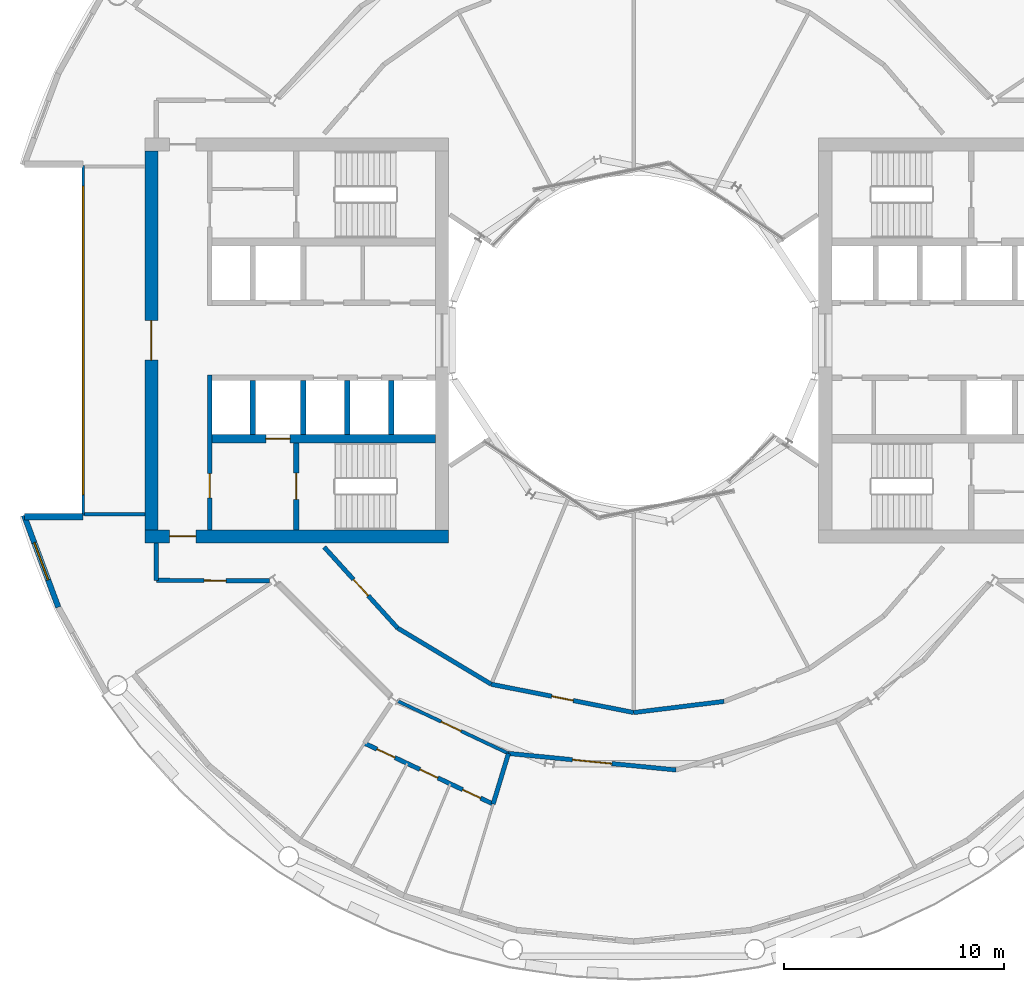
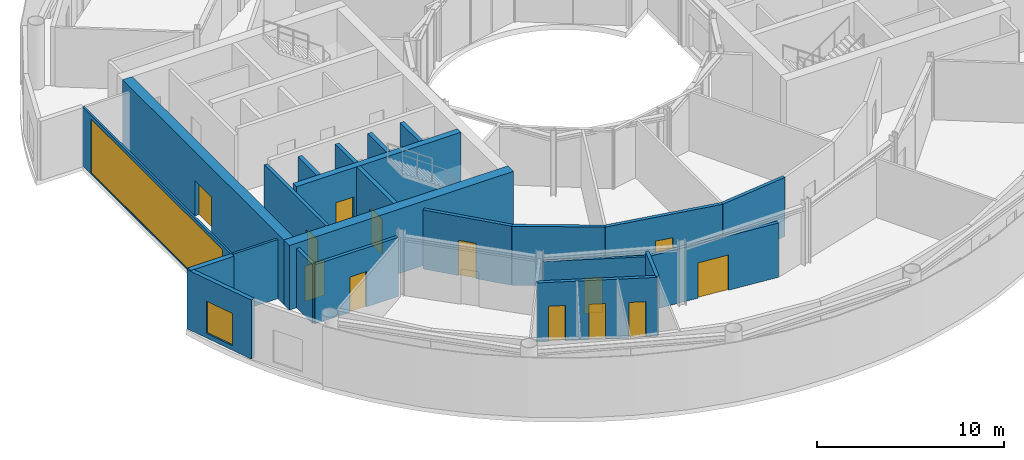
# One storey, part 13 of 21: 23 walls, 13 doors, 2 windows, 15 openings.
"""IFC4 building model written with IfcOpenShell, lengths in metres."""

from ifc_helpers import new_model, si_unit, direction, frame, frame_2d, origin, place, context, subcontext, project, spatial, rectangle, extrude, material, layer, layer_set, type_object, element, fill, save


model = new_model("IFC4")

# Units and contexts
model_context = context("Model", 3, precision=1e-05, world=origin(), true_north=direction((0.0, 1.0)))
body_context = subcontext(model_context, "Body", "Model", "MODEL_VIEW")
ifc_project = project(units=[si_unit("LENGTHUNIT", "METRE"), si_unit("AREAUNIT", "SQUARE_METRE"), si_unit("VOLUMEUNIT", "CUBIC_METRE"), si_unit("PLANEANGLEUNIT", "RADIAN"), si_unit("MASSUNIT", "GRAM", prefix="KILO")], contexts=[model_context])

# Site, building, storey
site_placement = place(None, origin())
site = spatial("IfcSite", under=ifc_project, at=site_placement, CompositionType="ELEMENT")
building_placement = place(site_placement, origin())
building = spatial("IfcBuilding", under=site, at=building_placement, Name="Maasbend Ring Residences", CompositionType="ELEMENT")
storey_placement = place(building_placement, frame((0.0, 0.0, 107.449951171875)))
storey = spatial("IfcBuildingStorey", under=building, at=storey_placement, Name="L30", CompositionType="ELEMENT", Elevation=107.449951171875)

# Wall, opening, door
ifc_material_1 = material(Name="Concrete C60/75", Category="concrete")
ifc_layer_1 = layer(ifc_material_1, 0.25)
ifc_layer_set_1 = layer_set([ifc_layer_1], Name="Concrete C60/75")
wall_type_1 = type_object("IfcWallType", Name="CORE WALL 250 C60/75", PredefinedType="SHEAR", material=ifc_layer_set_1)
wall_1_placement = place(storey_placement, frame((-15.324951171875, -4.64990234375, 0.0), z_axis=(0.0, 0.0, 1.0), x_axis=(0.0, -1.0, 0.0)))
wall_1 = element("IfcWall", 1, at=wall_1_placement, inside=storey, type_object=wall_type_1, Name="L30 core W wall STEN", PredefinedType="SHEAR", context=body_context, shape_type="SweptSolid", body=[
    extrude(rectangle(XDim=3.9501953125, YDim=0.25, at=frame_2d((1.97509765625, 0.0))), origin(), (0.0, 0.0, 1.0), 4.199951171875),
])
opening_1_placement = place(wall_1_placement, frame((1.375, 0.0, 0.0)))
opening_1 = element("IfcOpeningElement", 2, at=opening_1_placement, cuts=wall_1, Name="Opening D-W3009", PredefinedType="OPENING", context=body_context, shape_type="SweptSolid", body=[
    extrude(rectangle(XDim=1.199951171875, YDim=2.300048828125, at=frame_2d((0.60009765625, 1.14990234375))), frame((0.0, 0.135009765625, 0.0), z_axis=(0.0, -1.0, 0.0), x_axis=(1.0, 0.0, 0.0)), (0.0, 0.0, 1.0), 0.27001953125),
])
ifc_material_2 = material(Name="Steel, powder coated", Category="steel")
door_type_1 = type_object("IfcDoorType", Name="STAIR DOOR 1200 X 2300 FD60", OperationType="NOTDEFINED", PredefinedType="DOOR", material=ifc_material_2)
door_1_placement = place(opening_1_placement, origin())
door_1 = element("IfcDoor", 3, at=door_1_placement, inside=storey, type_object=door_type_1, Name="Stair door ST-W L30", OperationType="SINGLE_SWING_LEFT", OverallHeight=2.300048828125, OverallWidth=1.199951171875, PredefinedType="DOOR", context=body_context, shape_type="SweptSolid", body=[
    extrude(rectangle(XDim=1.199951171875, YDim=2.300048828125, at=frame_2d((0.60009765625, 1.14990234375))), frame((0.0, 0.02490234375, 0.0), z_axis=(0.0, -1.0, 0.0), x_axis=(1.0, 0.0, 0.0)), (0.0, 0.0, 1.0), 0.050048828125),
])
fill(opening_1, door_1)

ifc_material_3 = material(Name="Concrete C60/75", Category="concrete")
ifc_layer_2 = layer(ifc_material_3, 0.375)
ifc_layer_set_2 = layer_set([ifc_layer_2], Name="Concrete C60/75")
wall_type_2 = type_object("IfcWallType", Name="CORE WALL 375 C60/75", PredefinedType="SHEAR", material=ifc_layer_set_2)
wall_2_placement = place(storey_placement, frame((-9.0, -4.46240234375, 0.0), z_axis=(0.0, 0.0, 1.0), x_axis=(-1.0, 0.0, 0.0)))
wall_2 = element("IfcWall", 4, at=wall_2_placement, inside=storey, type_object=wall_type_2, Name="L30 core W wall BN", PredefinedType="SHEAR", context=body_context, shape_type="SweptSolid", body=[
    extrude(rectangle(XDim=10.14990234375, YDim=0.375, at=frame_2d((5.074951171875, 0.0))), origin(), (0.0, 0.0, 1.0), 4.199951171875),
])
opening_2_placement = place(wall_2_placement, frame((6.60009765625, 0.0, 0.0)))
opening_2 = element("IfcOpeningElement", 5, at=opening_2_placement, cuts=wall_2, Name="Opening LD-W3004", PredefinedType="OPENING", context=body_context, shape_type="SweptSolid", body=[
    extrude(rectangle(XDim=1.10009765625, YDim=2.300048828125, at=frame_2d((0.550048828125, 1.14990234375))), frame((0.0, 0.197509765625, 0.0), z_axis=(0.0, -1.0, 0.0), x_axis=(1.0, 0.0, 0.0)), (0.0, 0.0, 1.0), 0.39501953125),
])
ifc_material_4 = material(Name="Stainless steel 316", Category="steel")
door_type_2 = type_object("IfcDoorType", Name="LANDING DOOR 1100 X 2300 FD60", OperationType="DOUBLE_DOOR_SLIDING", PredefinedType="DOOR", material=ifc_material_4)
door_2_placement = place(opening_2_placement, origin())
door_2 = element("IfcDoor", 6, at=door_2_placement, inside=storey, type_object=door_type_2, Name="Landing door FF-W L30", OperationType="DOUBLE_DOOR_SLIDING", OverallHeight=2.300048828125, OverallWidth=1.10009765625, PredefinedType="DOOR", context=body_context, shape_type="SweptSolid", body=[
    extrude(rectangle(XDim=1.10009765625, YDim=2.300048828125, at=frame_2d((0.550048828125, 1.14990234375))), frame((0.0, 0.02490234375, 0.0), z_axis=(0.0, -1.0, 0.0), x_axis=(1.0, 0.0, 0.0)), (0.0, 0.0, 1.0), 0.050048828125),
])
fill(opening_2, door_2)

ifc_material_5 = material(Name="Concrete C60/75", Category="concrete")
ifc_layer_3 = layer(ifc_material_5, 0.60009765625)
ifc_layer_set_3 = layer_set([ifc_layer_3], Name="Concrete C60/75")
wall_type_3 = type_object("IfcWallType", Name="CORE WALL 600 C60/75", PredefinedType="SHEAR", material=ifc_layer_set_3)
wall_3_placement = place(storey_placement, frame((-22.199951171875, -8.89990234375, 0.0), z_axis=(0.0, 0.0, 1.0), x_axis=(1.0, 0.0, 0.0)))
wall_3 = element("IfcWall", 7, at=wall_3_placement, inside=storey, type_object=wall_type_3, Name="L30 core W wall PN", PredefinedType="SHEAR", context=body_context, shape_type="SweptSolid", body=[
    extrude(rectangle(XDim=13.800048828125, YDim=0.60009765625, at=frame_2d((6.89990234375, 0.0))), origin(), (0.0, 0.0, 1.0), 4.199951171875),
])
opening_3_placement = place(wall_3_placement, frame((1.125, 0.0, 0.0)))
opening_3 = element("IfcOpeningElement", 8, at=opening_3_placement, cuts=wall_3, Name="Opening D-W3013", PredefinedType="OPENING", context=body_context, shape_type="SweptSolid", body=[
    extrude(rectangle(XDim=1.199951171875, YDim=2.300048828125, at=frame_2d((0.60009765625, 1.14990234375))), frame((0.0, 0.31005859375, 0.0), z_axis=(0.0, -1.0, 0.0), x_axis=(1.0, 0.0, 0.0)), (0.0, 0.0, 1.0), 0.6201171875),
])
ifc_material_6 = material(Name="Steel, powder coated", Category="steel")
door_type_3 = type_object("IfcDoorType", Name="CORRIDOR DOOR 1200 X 2300 FD30S", OperationType="NOTDEFINED", PredefinedType="DOOR", material=ifc_material_6)
door_3_placement = place(opening_3_placement, origin())
door_3 = element("IfcDoor", 9, at=door_3_placement, inside=storey, type_object=door_type_3, Name="Corridor door L30", OperationType="SINGLE_SWING_RIGHT", OverallHeight=2.300048828125, OverallWidth=1.199951171875, PredefinedType="DOOR", context=body_context, shape_type="SweptSolid", body=[
    extrude(rectangle(XDim=1.199951171875, YDim=2.300048828125, at=frame_2d((0.60009765625, 1.14990234375))), frame((0.0, 0.02490234375, 0.0), z_axis=(0.0, -1.0, 0.0), x_axis=(1.0, 0.0, 0.0)), (0.0, 0.0, 1.0), 0.050048828125),
])
fill(opening_3, door_3)

wall_4_placement = place(storey_placement, frame((-21.89990234375, -8.60009765625, 0.0), z_axis=(0.0, 0.0, 1.0), x_axis=(0.0, 1.0, 0.0)))
wall_4 = element("IfcWall", 10, at=wall_4_placement, inside=storey, type_object=wall_type_3, Name="L30 core W wall POUT", PredefinedType="SHEAR", context=body_context, shape_type="SweptSolid", body=[
    extrude(rectangle(XDim=17.2001953125, YDim=0.60009765625, at=frame_2d((8.60009765625, 0.0))), origin(), (0.0, 0.0, 1.0), 4.199951171875),
])
opening_4_placement = place(wall_4_placement, frame((7.699951171875, 0.0, 0.0)))
opening_4 = element("IfcOpeningElement", 11, at=opening_4_placement, cuts=wall_4, Name="Opening D-W3015", PredefinedType="OPENING", context=body_context, shape_type="SweptSolid", body=[
    extrude(rectangle(XDim=1.800048828125, YDim=2.300048828125, at=frame_2d((0.89990234375, 1.14990234375))), frame((0.0, 0.31005859375, 0.0), z_axis=(0.0, -1.0, 0.0), x_axis=(1.0, 0.0, 0.0)), (0.0, 0.0, 1.0), 0.6201171875),
])
ifc_material_7 = material(Name="Aluminium frame, clear glass", Category="aluminium")
door_type_4 = type_object("IfcDoorType", Name="ENTRANCE DOOR 1800 X 2300 FD60", OperationType="NOTDEFINED", PredefinedType="DOOR", material=ifc_material_7)
door_4_placement = place(opening_4_placement, origin())
door_4 = element("IfcDoor", 12, at=door_4_placement, inside=storey, type_object=door_type_4, Name="Lobby glazed door L30", OperationType="SINGLE_SWING_LEFT", OverallHeight=2.300048828125, OverallWidth=1.800048828125, PredefinedType="DOOR", context=body_context, shape_type="SweptSolid", body=[
    extrude(rectangle(XDim=1.800048828125, YDim=2.300048828125, at=frame_2d((0.89990234375, 1.14990234375))), frame((0.0, 0.02490234375, 0.0), z_axis=(0.0, -1.0, 0.0), x_axis=(1.0, 0.0, 0.0)), (0.0, 0.0, 1.0), 0.050048828125),
])
fill(opening_4, door_4)

# Wall, openings, doors
ifc_material_8 = material(Name="Concrete C30/37", Category="concrete")
ifc_layer_4 = layer(ifc_material_8, 0.199951171875)
ifc_layer_set_4 = layer_set([ifc_layer_4], Name="Concrete C30/37")
wall_type_4 = type_object("IfcWallType", Name="CORRIDOR WALL 200 CONCRETE", PredefinedType="PARTITIONING", material=ifc_layer_set_4)
wall_5_placement = place(storey_placement, frame((-12.222900390625, -18.2939453125, 0.0), z_axis=(0.0, 0.0, 1.0), x_axis=(0.904110764787, -0.427298168726, 0.0)))
wall_5 = element("IfcWall", 13, at=wall_5_placement, inside=storey, type_object=wall_type_4, Name="U-L30-w001", PredefinedType="PARTITIONING", context=body_context, shape_type="SweptSolid", body=[
    extrude(rectangle(XDim=6.459228515625, YDim=0.199951171875, at=frame_2d((3.2294921875, 0.0))), origin(), (0.0, 0.0, 1.0), 3.85009765625),
])
opening_5_placement = place(wall_5_placement, frame((0.6240234375, 0.0, 0.0)))
opening_5 = element("IfcOpeningElement", 14, at=opening_5_placement, cuts=wall_5, Name="Opening D-3006", PredefinedType="OPENING", context=body_context, shape_type="SweptSolid", body=[
    extrude(rectangle(XDim=0.89990234375, YDim=2.300048828125, at=frame_2d((0.449951171875, 1.14990234375))), frame((0.0, 0.10986328125, 0.0), z_axis=(0.0, -1.0, 0.0), x_axis=(1.0, 0.0, 0.0)), (0.0, 0.0, 1.0), 0.219970703125),
])
opening_6_placement = place(wall_5_placement, frame((2.7880859375, 0.0, 0.0)))
opening_6 = element("IfcOpeningElement", 15, at=opening_6_placement, cuts=wall_5, Name="Opening D-3007", PredefinedType="OPENING", context=body_context, shape_type="SweptSolid", body=[
    extrude(rectangle(XDim=0.89990234375, YDim=2.300048828125, at=frame_2d((0.449951171875, 1.14990234375))), frame((0.0, 0.10986328125, 0.0), z_axis=(0.0, -1.0, 0.0), x_axis=(1.0, 0.0, 0.0)), (0.0, 0.0, 1.0), 0.219970703125),
])
opening_7_placement = place(wall_5_placement, frame((4.929931640625, 0.0, 0.0)))
opening_7 = element("IfcOpeningElement", 16, at=opening_7_placement, cuts=wall_5, Name="Opening D-3008", PredefinedType="OPENING", context=body_context, shape_type="SweptSolid", body=[
    extrude(rectangle(XDim=0.89990234375, YDim=2.300048828125, at=frame_2d((0.449951171875, 1.14990234375))), frame((0.0, 0.10986328125, 0.0), z_axis=(0.0, -1.0, 0.0), x_axis=(1.0, 0.0, 0.0)), (0.0, 0.0, 1.0), 0.219970703125),
])
ifc_material_9 = material(Name="Timber, painted", Category="wood")
door_type_5 = type_object("IfcDoorType", Name="INTERNAL DOOR 900 X 2300", OperationType="NOTDEFINED", PredefinedType="DOOR", material=ifc_material_9)
door_5_placement = place(opening_5_placement, origin())
door_5 = element("IfcDoor", 17, at=door_5_placement, inside=storey, type_object=door_type_5, Name="D-3006", OperationType="SINGLE_SWING_LEFT", OverallHeight=2.300048828125, OverallWidth=0.89990234375, PredefinedType="DOOR", context=body_context, shape_type="SweptSolid", body=[
    extrude(rectangle(XDim=0.89990234375, YDim=2.300048828125, at=frame_2d((0.449951171875, 1.14990234375))), frame((0.0, 0.02490234375, 0.0), z_axis=(0.0, -1.0, 0.0), x_axis=(1.0, 0.0, 0.0)), (0.0, 0.0, 1.0), 0.050048828125),
])
fill(opening_5, door_5)
door_6_placement = place(opening_6_placement, origin())
door_6 = element("IfcDoor", 18, at=door_6_placement, inside=storey, type_object=door_type_5, Name="D-3007", OperationType="SINGLE_SWING_RIGHT", OverallHeight=2.300048828125, OverallWidth=0.89990234375, PredefinedType="DOOR", context=body_context, shape_type="SweptSolid", body=[
    extrude(rectangle(XDim=0.89990234375, YDim=2.300048828125, at=frame_2d((0.449951171875, 1.14990234375))), frame((0.0, 0.02490234375, 0.0), z_axis=(0.0, -1.0, 0.0), x_axis=(1.0, 0.0, 0.0)), (0.0, 0.0, 1.0), 0.050048828125),
])
fill(opening_6, door_6)
door_7_placement = place(opening_7_placement, origin())
door_7 = element("IfcDoor", 19, at=door_7_placement, inside=storey, type_object=door_type_5, Name="D-3008", OperationType="SINGLE_SWING_RIGHT", OverallHeight=2.300048828125, OverallWidth=0.89990234375, PredefinedType="DOOR", context=body_context, shape_type="SweptSolid", body=[
    extrude(rectangle(XDim=0.89990234375, YDim=2.300048828125, at=frame_2d((0.449951171875, 1.14990234375))), frame((0.0, 0.02490234375, 0.0), z_axis=(0.0, -1.0, 0.0), x_axis=(1.0, 0.0, 0.0)), (0.0, 0.0, 1.0), 0.050048828125),
])
fill(opening_7, door_7)

# Wall, opening, door
wall_6_placement = place(storey_placement, frame((-5.68994140625, -18.756103515625, 0.0), z_axis=(0.0, 0.0, 1.0), x_axis=(0.995179652705, -0.098068643521, 0.0)))
wall_6 = element("IfcWall", 20, at=wall_6_placement, inside=storey, type_object=wall_type_4, Name="U-L30-w009", PredefinedType="PARTITIONING", context=body_context, shape_type="SweptSolid", body=[
    extrude(rectangle(XDim=7.647705078125, YDim=0.199951171875, at=frame_2d((3.82373046875, 0.0))), origin(), (0.0, 0.0, 1.0), 3.5400390625),
])
opening_8_placement = place(wall_6_placement, frame((2.924072265625, 0.0, 0.0)))
opening_8 = element("IfcOpeningElement", 21, at=opening_8_placement, cuts=wall_6, Name="Opening D-3017", PredefinedType="OPENING", context=body_context, shape_type="SweptSolid", body=[
    extrude(rectangle(XDim=1.800048828125, YDim=2.300048828125, at=frame_2d((0.89990234375, 1.14990234375))), frame((0.0, 0.10986328125, 0.0), z_axis=(0.0, -1.0, 0.0), x_axis=(1.0, 0.0, 0.0)), (0.0, 0.0, 1.0), 0.219970703125),
])
ifc_material_10 = material(Name="Timber, painted", Category="wood")
door_type_6 = type_object("IfcDoorType", Name="DOUBLE DOOR 1800 X 2300", OperationType="NOTDEFINED", PredefinedType="DOOR", material=ifc_material_10)
door_8_placement = place(opening_8_placement, origin())
door_8 = element("IfcDoor", 22, at=door_8_placement, inside=storey, type_object=door_type_6, Name="D-3017", OperationType="DOUBLE_DOOR_SINGLE_SWING", OverallHeight=2.300048828125, OverallWidth=1.800048828125, PredefinedType="DOOR", context=body_context, shape_type="SweptSolid", body=[
    extrude(rectangle(XDim=1.800048828125, YDim=2.300048828125, at=frame_2d((0.89990234375, 1.14990234375))), frame((0.0, 0.02490234375, 0.0), z_axis=(0.0, -1.0, 0.0), x_axis=(1.0, 0.0, 0.0)), (0.0, 0.0, 1.0), 0.050048828125),
])
fill(opening_8, door_8)

# Wall
wall_7_placement = place(storey_placement, frame((0.0, -16.89990234375, 0.0), z_axis=(0.0, 0.0, 1.0), x_axis=(0.992496033272, 0.122276833211, 0.0)))
element("IfcWall", 23, at=wall_7_placement, inside=storey, type_object=wall_type_4, Name="U-L30-w011", PredefinedType="PARTITIONING", context=body_context, shape_type="SweptSolid", body=[
    extrude(rectangle(XDim=4.136962890625, YDim=0.199951171875, at=frame_2d((2.068359375, 0.0))), origin(), (0.0, 0.0, 1.0), 3.85009765625),
])

# Wall, opening, door
wall_8_placement = place(storey_placement, frame((-14.052001953125, -9.388916015625, 0.0), z_axis=(0.0, 0.0, 1.0), x_axis=(0.671579385786, -0.740932607318, 0.0)))
wall_8 = element("IfcWall", 24, at=wall_8_placement, inside=storey, type_object=wall_type_4, Name="U-L30-w015", PredefinedType="PARTITIONING", context=body_context, shape_type="SweptSolid", body=[
    extrude(rectangle(XDim=4.9599609375, YDim=0.199951171875, at=frame_2d((2.47998046875, 0.0))), origin(), (0.0, 0.0, 1.0), 3.85009765625),
])
opening_9_placement = place(wall_8_placement, frame((1.97998046875, 0.0, 0.0)))
opening_9 = element("IfcOpeningElement", 25, at=opening_9_placement, cuts=wall_8, Name="Opening D-3019", PredefinedType="OPENING", context=body_context, shape_type="SweptSolid", body=[
    extrude(rectangle(XDim=1.0, YDim=2.300048828125, at=frame_2d((0.5, 1.14990234375))), frame((0.0, 0.10986328125, 0.0), z_axis=(0.0, -1.0, 0.0), x_axis=(1.0, 0.0, 0.0)), (0.0, 0.0, 1.0), 0.219970703125),
])
ifc_material_11 = material(Name="Timber, painted", Category="wood")
door_type_7 = type_object("IfcDoorType", Name="ROOM DOOR 1000 X 2300", OperationType="NOTDEFINED", PredefinedType="DOOR", material=ifc_material_11)
door_9_placement = place(opening_9_placement, origin())
door_9 = element("IfcDoor", 26, at=door_9_placement, inside=storey, type_object=door_type_7, Name="D-3019", OperationType="SINGLE_SWING_LEFT", OverallHeight=2.300048828125, OverallWidth=1.0, PredefinedType="DOOR", context=body_context, shape_type="SweptSolid", body=[
    extrude(rectangle(XDim=1.0, YDim=2.300048828125, at=frame_2d((0.5, 1.14990234375))), frame((0.0, 0.02490234375, 0.0), z_axis=(0.0, -1.0, 0.0), x_axis=(1.0, 0.0, 0.0)), (0.0, 0.0, 1.0), 0.050048828125),
])
fill(opening_9, door_9)

# Wall
wall_9_placement = place(storey_placement, frame((-10.720947265625, -13.06396484375, 0.0), z_axis=(0.0, 0.0, 1.0), x_axis=(0.857696997328, -0.514155483074, 0.0)))
element("IfcWall", 27, at=wall_9_placement, inside=storey, type_object=wall_type_4, Name="U-L30-w016", PredefinedType="PARTITIONING", context=body_context, shape_type="SweptSolid", body=[
    extrude(rectangle(XDim=4.959716796875, YDim=0.199951171875, at=frame_2d((2.47998046875, 0.0))), origin(), (0.0, 0.0, 1.0), 3.85009765625),
])

# Wall, opening, door
wall_10_placement = place(storey_placement, frame((-6.467041015625, -15.614013671875, 0.0), z_axis=(0.0, 0.0, 1.0), x_axis=(0.980799374359, -0.195019453537, 0.0)))
wall_10 = element("IfcWall", 28, at=wall_10_placement, inside=storey, type_object=wall_type_4, Name="U-L30-w017", PredefinedType="PARTITIONING", context=body_context, shape_type="SweptSolid", body=[
    extrude(rectangle(XDim=6.59375, YDim=0.199951171875, at=frame_2d((3.296875, 0.0))), origin(), (0.0, 0.0, 1.0), 3.85009765625),
])
opening_10_placement = place(wall_10_placement, frame((2.797119140625, 0.0, 0.0)))
opening_10 = element("IfcOpeningElement", 29, at=opening_10_placement, cuts=wall_10, Name="Opening D-3020", PredefinedType="OPENING", context=body_context, shape_type="SweptSolid", body=[
    extrude(rectangle(XDim=1.0, YDim=2.300048828125, at=frame_2d((0.5, 1.14990234375))), frame((0.0, 0.10986328125, 0.0), z_axis=(0.0, -1.0, 0.0), x_axis=(1.0, 0.0, 0.0)), (0.0, 0.0, 1.0), 0.219970703125),
])
door_10_placement = place(opening_10_placement, origin())
door_10 = element("IfcDoor", 30, at=door_10_placement, inside=storey, type_object=door_type_7, Name="D-3020", OperationType="SINGLE_SWING_LEFT", OverallHeight=2.300048828125, OverallWidth=1.0, PredefinedType="DOOR", context=body_context, shape_type="SweptSolid", body=[
    extrude(rectangle(XDim=1.0, YDim=2.300048828125, at=frame_2d((0.5, 1.14990234375))), frame((0.0, 0.02490234375, 0.0), z_axis=(0.0, -1.0, 0.0), x_axis=(1.0, 0.0, 0.0)), (0.0, 0.0, 1.0), 0.050048828125),
])
fill(opening_10, door_10)

wall_11_placement = place(storey_placement, frame((-21.675048828125, -10.89990234375, 0.0), z_axis=(0.0, 0.0, 1.0), x_axis=(0.999997173357, -0.002377662213, 0.0)))
wall_11 = element("IfcWall", 31, at=wall_11_placement, inside=storey, type_object=wall_type_4, Name="U-L30-w018", PredefinedType="PARTITIONING", context=body_context, shape_type="SweptSolid", body=[
    extrude(rectangle(XDim=5.134033203125, YDim=0.199951171875, at=frame_2d((2.56689453125, 0.0))), origin(), (0.0, 0.0, 1.0), 3.85009765625),
])
opening_11_placement = place(wall_11_placement, frame((2.1708984375, 0.0, 0.0)))
opening_11 = element("IfcOpeningElement", 32, at=opening_11_placement, cuts=wall_11, Name="Opening D-3023", PredefinedType="OPENING", context=body_context, shape_type="SweptSolid", body=[
    extrude(rectangle(XDim=1.0, YDim=2.300048828125, at=frame_2d((0.5, 1.14990234375))), frame((0.0, 0.10986328125, 0.0), z_axis=(0.0, -1.0, 0.0), x_axis=(1.0, 0.0, 0.0)), (0.0, 0.0, 1.0), 0.219970703125),
])
door_11_placement = place(opening_11_placement, origin())
door_11 = element("IfcDoor", 33, at=door_11_placement, inside=storey, type_object=door_type_7, Name="D-3023", OperationType="SINGLE_SWING_RIGHT", OverallHeight=2.300048828125, OverallWidth=1.0, PredefinedType="DOOR", context=body_context, shape_type="SweptSolid", body=[
    extrude(rectangle(XDim=1.0, YDim=2.300048828125, at=frame_2d((0.5, 1.14990234375))), frame((0.0, 0.02490234375, 0.0), z_axis=(0.0, -1.0, 0.0), x_axis=(1.0, 0.0, 0.0)), (0.0, 0.0, 1.0), 0.050048828125),
])
fill(opening_11, door_11)

# Walls
wall_12_placement = place(storey_placement, frame((-6.381103515625, -21.053955078125, 0.0), z_axis=(0.0, 0.0, 1.0), x_axis=(0.290128842027, 0.956987593976, 0.0)))
element("IfcWall", 34, at=wall_12_placement, inside=storey, type_object=wall_type_4, Name="U-L30-w032", PredefinedType="PARTITIONING", context=body_context, shape_type="SweptSolid", body=[
    extrude(rectangle(XDim=2.399169921875, YDim=0.199951171875, at=frame_2d((1.19970703125, 0.0))), origin(), (0.0, 0.0, 1.0), 3.85009765625),
])
wall_13_placement = place(storey_placement, frame((-21.675048828125, -10.89990234375, 0.0), z_axis=(0.0, 0.0, 1.0), x_axis=(0.0, 1.0, 0.0)))
element("IfcWall", 35, at=wall_13_placement, inside=storey, type_object=wall_type_4, Name="U-L30-w067", PredefinedType="PARTITIONING", context=body_context, shape_type="SweptSolid", body=[
    extrude(rectangle(XDim=1.699951171875, YDim=0.199951171875, at=frame_2d((0.85009765625, 0.0))), origin(), (0.0, 0.0, 1.0), 3.85009765625),
])

# Wall, opening, window
ifc_material_12 = material(Name="Aluminium clad insulated panel", Category="aluminium")
ifc_layer_5 = layer(ifc_material_12, 0.25)
ifc_layer_set_5 = layer_set([ifc_layer_5], Name="EW-HORN")
wall_type_5 = type_object("IfcWallType", Name="EW-HORN", PredefinedType="SOLIDWALL", material=ifc_layer_set_5)
wall_14_placement = place(storey_placement, frame((-27.681884765625, -7.945068359375, 0.0), z_axis=(0.0, 0.0, 1.0), x_axis=(0.349247811493, -0.937030397675, 0.0)))
wall_14 = element("IfcWall", 36, at=wall_14_placement, inside=storey, type_object=wall_type_5, Name="Horn wall 3.1", PredefinedType="SOLIDWALL", context=body_context, shape_type="SweptSolid", body=[
    extrude(rectangle(XDim=4.4521484375, YDim=0.25, at=frame_2d((2.22607421875, 0.0))), origin(), (0.0, 0.0, 1.0), 3.85009765625),
])
opening_12_placement = place(wall_14_placement, frame((1.32666015625, 0.0, 0.300048828125)))
opening_12 = element("IfcOpeningElement", 37, at=opening_12_placement, cuts=wall_14, Name="Opening W-BX", PredefinedType="OPENING", context=body_context, shape_type="SweptSolid", body=[
    extrude(rectangle(XDim=1.800048828125, YDim=2.10009765625, at=frame_2d((0.89990234375, 1.050048828125))), frame((0.0, 0.135009765625, 0.0), z_axis=(0.0, -1.0, 0.0), x_axis=(1.0, 0.0, 0.0)), (0.0, 0.0, 1.0), 0.27001953125),
])
ifc_material_13 = material(Name="Aluminium and clear glass", Category="aluminium")
window_type_1 = type_object("IfcWindowType", Name="W-BX", PartitioningType="DOUBLE_PANEL_VERTICAL", PredefinedType="WINDOW", material=ifc_material_13)
window_1_placement = place(opening_12_placement, origin())
window_1 = element("IfcWindow", 38, at=window_1_placement, inside=storey, type_object=window_type_1, Name="Horn window 3.1", OverallHeight=2.10009765625, OverallWidth=1.800048828125, PartitioningType="SINGLE_PANEL", PredefinedType="WINDOW", context=body_context, shape_type="SweptSolid", body=[
    extrude(rectangle(XDim=1.800048828125, YDim=2.10009765625, at=frame_2d((0.89990234375, 1.050048828125))), frame((0.0, 0.030029296875, 0.0), z_axis=(0.0, -1.0, 0.0), x_axis=(1.0, 0.0, 0.0)), (0.0, 0.0, 1.0), 0.06005859375),
])
fill(opening_12, window_1)

# Wall
ifc_material_14 = material(Name="Aluminium clad insulated panel", Category="aluminium")
ifc_layer_6 = layer(ifc_material_14, 0.300048828125)
ifc_layer_set_6 = layer_set([ifc_layer_6], Name="EW-RET")
wall_type_6 = type_object("IfcWallType", Name="EW-RET", PredefinedType="SOLIDWALL", material=ifc_layer_set_6)
wall_15_placement = place(storey_placement, frame((-25.0, -8.0, 0.0), z_axis=(0.0, 0.0, 1.0), x_axis=(-1.0, 0.0, 0.0)))
element("IfcWall", 39, at=wall_15_placement, inside=storey, type_object=wall_type_6, Name="Notch return wall west south", PredefinedType="SOLIDWALL", context=body_context, shape_type="SweptSolid", body=[
    extrude(rectangle(XDim=2.6669921875, YDim=0.300048828125, at=frame_2d((1.33349609375, 0.0))), origin(), (0.0, 0.0, 1.0), 3.85009765625),
])

# Wall, opening, window
ifc_material_15 = material(Name="Aluminium frame and clear glass", Category="aluminium")
ifc_layer_7 = layer(ifc_material_15, 0.1201171875)
ifc_layer_set_7 = layer_set([ifc_layer_7], Name="GLAZED SCREEN WALL 120 EI 60")
wall_type_7 = type_object("IfcWallType", Name="GLAZED SCREEN WALL 120 EI 60", PredefinedType="PARTITIONING", material=ifc_layer_set_7)
wall_16_placement = place(storey_placement, frame((-25.0, 7.949951171875, 0.0), z_axis=(0.0, 0.0, 1.0), x_axis=(0.0, -1.0, 0.0)))
wall_16 = element("IfcWall", 40, at=wall_16_placement, inside=storey, type_object=wall_type_7, Name="L30 core W wall FACE", PredefinedType="PARTITIONING", context=body_context, shape_type="SweptSolid", body=[
    extrude(rectangle(XDim=15.89990234375, YDim=0.1201171875, at=frame_2d((7.949951171875, 0.0))), origin(), (0.0, 0.0, 1.0), 3.85009765625),
])
opening_13_placement = place(wall_16_placement, frame((0.949951171875, 0.0, 0.10009765625)))
opening_13 = element("IfcOpeningElement", 41, at=opening_13_placement, cuts=wall_16, Name="Opening W-W3002", PredefinedType="OPENING", context=body_context, shape_type="SweptSolid", body=[
    extrude(rectangle(XDim=14.0, YDim=3.5, at=frame_2d((7.0, 1.75))), frame((0.0, 0.070068359375, 0.0), z_axis=(0.0, -1.0, 0.0), x_axis=(1.0, 0.0, 0.0)), (0.0, 0.0, 1.0), 0.14013671875),
])
ifc_material_16 = material(Name="Aluminium frame and clear glass", Category="aluminium")
window_type_2 = type_object("IfcWindowType", Name="FIXED WINDOW 14000 X 3500", PartitioningType="SINGLE_PANEL", PredefinedType="WINDOW", material=ifc_material_16)
window_2_placement = place(opening_13_placement, origin())
window_2 = element("IfcWindow", 42, at=window_2_placement, inside=storey, type_object=window_type_2, Name="Lobby window L30", OverallHeight=3.5, OverallWidth=14.0, PartitioningType="SINGLE_PANEL", PredefinedType="WINDOW", context=body_context, shape_type="SweptSolid", body=[
    extrude(rectangle(XDim=14.0, YDim=3.5, at=frame_2d((7.0, 1.75))), frame((0.0, 0.030029296875, 0.0), z_axis=(0.0, -1.0, 0.0), x_axis=(1.0, 0.0, 0.0)), (0.0, 0.0, 1.0), 0.06005859375),
])
fill(opening_13, window_2)

# Wall
ifc_material_17 = material(Name="Gypsum board on steel studs", Category="steel")
ifc_layer_8 = layer(ifc_material_17, 0.14990234375)
ifc_layer_set_8 = layer_set([ifc_layer_8], Name="PARTITION 150 EI 60")
wall_type_8 = type_object("IfcWallType", Name="PARTITION 150 EI 60", PredefinedType="PARTITIONING", material=ifc_layer_set_8)
wall_17_placement = place(storey_placement, frame((-22.199951171875, -7.89990234375, 0.0), z_axis=(0.0, 0.0, 1.0), x_axis=(-1.0, 0.0, 0.0)))
element("IfcWall", 43, at=wall_17_placement, inside=storey, type_object=wall_type_8, Name="L30 core W wall CITN", PredefinedType="PARTITIONING", context=body_context, shape_type="SweptSolid", body=[
    extrude(rectangle(XDim=2.739990234375, YDim=0.14990234375, at=frame_2d((1.3701171875, 0.0))), origin(), (0.0, 0.0, 1.0), 3.85009765625),
])

# Wall, opening, door
ifc_material_18 = material(Name="Gypsum board on steel studs", Category="steel")
ifc_layer_9 = layer(ifc_material_18, 0.14990234375)
ifc_layer_set_9 = layer_set([ifc_layer_9], Name="PARTITION 150 GYPSUM")
wall_type_9 = type_object("IfcWallType", Name="PARTITION 150 GYPSUM", PredefinedType="PARTITIONING", material=ifc_layer_set_9)
wall_18_placement = place(storey_placement, frame((-10.7490234375, -16.363037109375, 0.0), z_axis=(0.0, 0.0, 1.0), x_axis=(0.903968655954, -0.427598724335, 0.0)))
wall_18 = element("IfcWall", 44, at=wall_18_placement, inside=storey, type_object=wall_type_9, Name="U-L30-w007", PredefinedType="PARTITIONING", context=body_context, shape_type="SweptSolid", body=[
    extrude(rectangle(XDim=5.596435546875, YDim=0.14990234375, at=frame_2d((2.79833984375, 0.0))), origin(), (0.0, 0.0, 1.0), 3.5400390625),
])
opening_14_placement = place(wall_18_placement, frame((2.220947265625, 0.0, 0.0)))
opening_14 = element("IfcOpeningElement", 45, at=opening_14_placement, cuts=wall_18, Name="Opening D-3005", PredefinedType="OPENING", context=body_context, shape_type="SweptSolid", body=[
    extrude(rectangle(XDim=1.0, YDim=2.300048828125, at=frame_2d((0.5, 1.14990234375))), frame((0.0, 0.0849609375, 0.0), z_axis=(0.0, -1.0, 0.0), x_axis=(1.0, 0.0, 0.0)), (0.0, 0.0, 1.0), 0.169921875),
])
door_12_placement = place(opening_14_placement, origin())
door_12 = element("IfcDoor", 46, at=door_12_placement, inside=storey, type_object=door_type_7, Name="D-3005", OperationType="SINGLE_SWING_LEFT", OverallHeight=2.300048828125, OverallWidth=1.0, PredefinedType="DOOR", context=body_context, shape_type="SweptSolid", body=[
    extrude(rectangle(XDim=1.0, YDim=2.300048828125, at=frame_2d((0.5, 1.14990234375))), frame((0.0, 0.02490234375, 0.0), z_axis=(0.0, -1.0, 0.0), x_axis=(1.0, 0.0, 0.0)), (0.0, 0.0, 1.0), 0.050048828125),
])
fill(opening_14, door_12)

ifc_material_19 = material(Name="Concrete C30/37", Category="concrete")
ifc_layer_10 = layer(ifc_material_19, 0.199951171875)
ifc_layer_set_10 = layer_set([ifc_layer_10], Name="Concrete C30/37")
wall_type_10 = type_object("IfcWallType", Name="SHAFT WALL 200 EI 120", PredefinedType="SOLIDWALL", material=ifc_layer_set_10)
wall_19_placement = place(storey_placement, frame((-19.25, -1.574951171875, 0.0), z_axis=(0.0, 0.0, 1.0), x_axis=(0.0, -1.0, 0.0)))
wall_19 = element("IfcWall", 47, at=wall_19_placement, inside=storey, type_object=wall_type_10, Name="L30 core W wall ENDN", PredefinedType="SOLIDWALL", context=body_context, shape_type="SweptSolid", body=[
    extrude(rectangle(XDim=7.025146484375, YDim=0.199951171875, at=frame_2d((3.5126953125, 0.0))), origin(), (0.0, 0.0, 1.0), 3.85009765625),
])
opening_15_placement = place(wall_19_placement, frame((4.47509765625, 0.0, 0.0)))
opening_15 = element("IfcOpeningElement", 48, at=opening_15_placement, cuts=wall_19, Name="Opening D-W3011", PredefinedType="OPENING", context=body_context, shape_type="SweptSolid", body=[
    extrude(rectangle(XDim=1.10009765625, YDim=2.300048828125, at=frame_2d((0.550048828125, 1.14990234375))), frame((0.0, 0.10986328125, 0.0), z_axis=(0.0, -1.0, 0.0), x_axis=(1.0, 0.0, 0.0)), (0.0, 0.0, 1.0), 0.219970703125),
])
ifc_material_20 = material(Name="Steel, powder coated", Category="steel")
door_type_8 = type_object("IfcDoorType", Name="LOBBY DOOR 1100 X 2300 FD60", OperationType="NOTDEFINED", PredefinedType="DOOR", material=ifc_material_20)
door_13_placement = place(opening_15_placement, origin())
door_13 = element("IfcDoor", 49, at=door_13_placement, inside=storey, type_object=door_type_8, Name="Lobby door L30", OperationType="SINGLE_SWING_LEFT", OverallHeight=2.300048828125, OverallWidth=1.10009765625, PredefinedType="DOOR", context=body_context, shape_type="SweptSolid", body=[
    extrude(rectangle(XDim=1.10009765625, YDim=2.300048828125, at=frame_2d((0.550048828125, 1.14990234375))), frame((0.0, 0.02490234375, 0.0), z_axis=(0.0, -1.0, 0.0), x_axis=(1.0, 0.0, 0.0)), (0.0, 0.0, 1.0), 0.050048828125),
])
fill(opening_15, door_13)

# Walls
ifc_material_21 = material(Name="Concrete C30/37", Category="concrete")
ifc_layer_11 = layer(ifc_material_21, 0.25)
ifc_layer_set_11 = layer_set([ifc_layer_11], Name="Concrete C30/37")
wall_type_11 = type_object("IfcWallType", Name="SHAFT WALL 250 EI 120", PredefinedType="SOLIDWALL", material=ifc_layer_set_11)
for number, where, z_axis, x_axis, name in (
    (50, (-15.0, -1.824951171875, 0.0), (0.0, 0.0, 1.0), (0.0, -1.0, 0.0), "L30 core W wall D150N"),
    (51, (-17.300048828125, -1.824951171875, 0.0), (0.0, 0.0, 1.0), (0.0, -1.0, 0.0), "L30 core W wall D173N"),
    (52, (-11.0, -1.824951171875, 0.0), (0.0, 0.0, 1.0), (0.0, -1.0, 0.0), "L30 core W wall D110N"),
    (53, (-13.0, -1.824951171875, 0.0), (0.0, 0.0, 1.0), (0.0, -1.0, 0.0), "L30 core W wall D130N"),
):
    element("IfcWall", number, at=place(storey_placement, frame(where, z_axis=z_axis, x_axis=x_axis)), inside=storey, type_object=wall_type_11, Name=name, PredefinedType="SOLIDWALL", context=body_context, shape_type="SweptSolid", body=[
        extrude(rectangle(XDim=2.449951171875, YDim=0.25, at=frame_2d((1.22509765625, 0.0))), origin(), (0.0, 0.0, 1.0), 3.85009765625),
    ])

save(model, "model.ifc")
